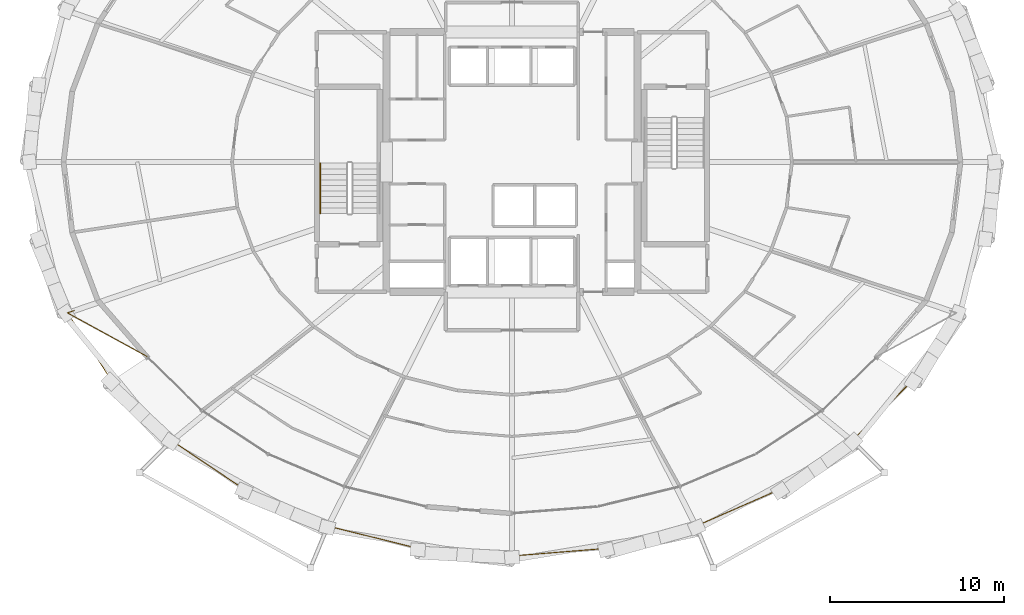
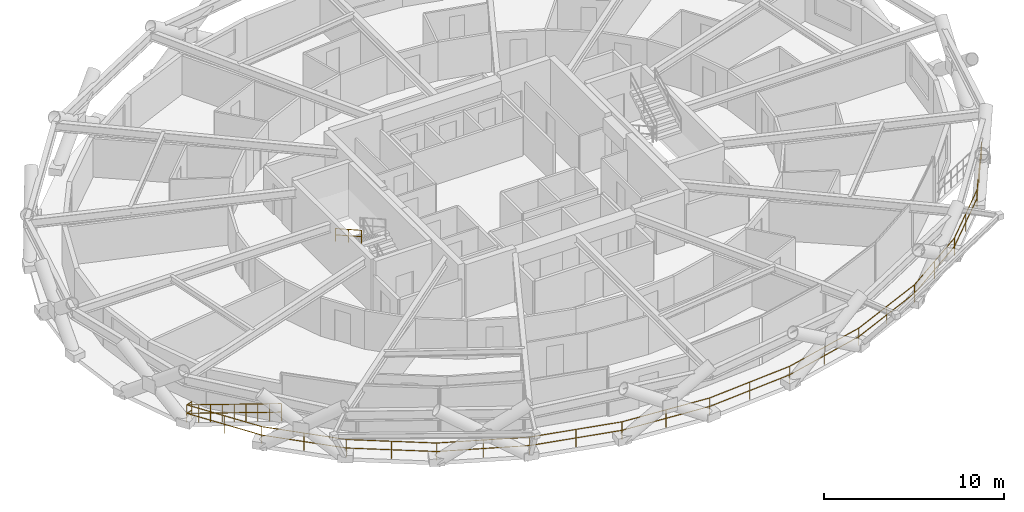
# One storey, part 18 of 19: 3 railings.
"""IFC4 building model written with IfcOpenShell, lengths in metres."""

from ifc_helpers import new_model, si_unit, direction, frame, origin, origin_2d, place, context, subcontext, project, spatial, circle, extrude, material, type_object, element, save


model = new_model("IFC4")

# Units and contexts
model_context = context("Model", 3, precision=1e-05, world=origin(), true_north=direction((0.0, 1.0)))
body_context = subcontext(model_context, "Body", "Model", "MODEL_VIEW")
ifc_project = project(units=[si_unit("LENGTHUNIT", "METRE"), si_unit("AREAUNIT", "SQUARE_METRE"), si_unit("VOLUMEUNIT", "CUBIC_METRE"), si_unit("PLANEANGLEUNIT", "RADIAN"), si_unit("MASSUNIT", "GRAM", prefix="KILO")], contexts=[model_context])

# Site, building, storey
site_placement = place(None, origin())
site = spatial("IfcSite", under=ifc_project, at=site_placement, CompositionType="ELEMENT")
building_placement = place(site_placement, origin())
building = spatial("IfcBuilding", under=site, at=building_placement, Name="Veldorina Hangang Commons", CompositionType="ELEMENT")
storey_placement = place(building_placement, frame((0.0, 0.0, 34.0)))
storey = spatial("IfcBuildingStorey", under=building, at=storey_placement, Name="L07", CompositionType="ELEMENT", Elevation=34.0)

# Railings
ifc_material_1 = material(Name="Glass Laminated Safety Balustrade", Category="glass")
railing_type_1 = type_object("IfcRailingType", Name="RL-BAL-LOGGIA", PredefinedType="BALUSTRADE", material=ifc_material_1)
railing_1_placement = place(storey_placement, frame((6.91162109375, 15.486083984375, 0.0)))
element("IfcRailing", 1, at=railing_1_placement, inside=storey, type_object=railing_type_1, Name="L07 sky-garden loggia end balustrade A", PredefinedType="BALUSTRADE", context=body_context, shape_type="SweptSolid", body=[
    extrude(circle(Radius=0.02392578125, at=origin_2d()), frame((0.0, 0.0, 1.17578125), z_axis=(-0.946924996106, -0.321454587383, 0.0), x_axis=(0.321454587383, -0.946924996106, 0.0)), (0.0, 0.0, 1.0), 0.419921875),
    extrude(circle(Radius=0.02392578125, at=origin_2d()), frame((0.0, 0.0, 0.60009765625), z_axis=(-0.946924996106, -0.321454587383, 0.0), x_axis=(0.321454587383, -0.946924996106, 0.0)), (0.0, 0.0, 1.0), 0.419921875),
    extrude(circle(Radius=0.02392578125, at=origin_2d()), frame((-0.397705078125, -0.135009765625, 1.17578125), z_axis=(0.877056677059, -0.480386912005, 0.0), x_axis=(0.480386912005, 0.877056677059, 0.0)), (0.0, 0.0, 1.0), 5.258056640625),
    extrude(circle(Radius=0.02392578125, at=origin_2d()), frame((-0.397705078125, -0.135009765625, 0.60009765625), z_axis=(0.877056677059, -0.480386912005, 0.0), x_axis=(0.480386912005, 0.877056677059, 0.0)), (0.0, 0.0, 1.0), 5.258056640625),
    extrude(circle(Radius=0.02099609375, at=origin_2d()), origin(), (0.0, 0.0, 1.0), 1.15185546875),
    extrude(circle(Radius=0.02099609375, at=origin_2d()), frame((-0.397705078125, -0.135009765625, 0.0)), (0.0, 0.0, 1.0), 1.15185546875),
    extrude(circle(Radius=0.02099609375, at=origin_2d()), frame((0.1787109375, -0.45068359375, 0.0)), (0.0, 0.0, 1.0), 1.15185546875),
    extrude(circle(Radius=0.02099609375, at=origin_2d()), frame((0.755126953125, -0.7666015625, 0.0)), (0.0, 0.0, 1.0), 1.15185546875),
    extrude(circle(Radius=0.02099609375, at=origin_2d()), frame((1.33154296875, -1.082275390625, 0.0)), (0.0, 0.0, 1.0), 1.15185546875),
    extrude(circle(Radius=0.02099609375, at=origin_2d()), frame((1.908203125, -1.39794921875, 0.0)), (0.0, 0.0, 1.0), 1.15185546875),
    extrude(circle(Radius=0.02099609375, at=origin_2d()), frame((2.484619140625, -1.713623046875, 0.0)), (0.0, 0.0, 1.0), 1.15185546875),
    extrude(circle(Radius=0.02099609375, at=origin_2d()), frame((3.06103515625, -2.029296875, 0.0)), (0.0, 0.0, 1.0), 1.15185546875),
    extrude(circle(Radius=0.02099609375, at=origin_2d()), frame((3.637451171875, -2.34521484375, 0.0)), (0.0, 0.0, 1.0), 1.15185546875),
    extrude(circle(Radius=0.02099609375, at=origin_2d()), frame((4.2138671875, -2.660888671875, 0.0)), (0.0, 0.0, 1.0), 1.15185546875),
])
railing_2_placement = place(storey_placement, frame((6.513916015625, 15.35107421875, 0.0)))
element("IfcRailing", 2, at=railing_2_placement, inside=storey, type_object=railing_type_1, Name="L07 sky-garden loggia outer balustrade", PredefinedType="BALUSTRADE", context=body_context, shape_type="SweptSolid", body=[
    extrude(circle(Radius=0.02392578125, at=origin_2d()), frame((0.0, 0.0, 1.17578125), z_axis=(0.546826332014, -0.837246058585, 0.0), x_axis=(0.837246058585, 0.546826332014, 0.0)), (0.0, 0.0, 1.0), 4.66552734375),
    extrude(circle(Radius=0.02392578125, at=origin_2d()), frame((0.0, 0.0, 0.60009765625), z_axis=(0.546826332014, -0.837246058585, 0.0), x_axis=(0.837246058585, 0.546826332014, 0.0)), (0.0, 0.0, 1.0), 4.66552734375),
    extrude(circle(Radius=0.02392578125, at=origin_2d()), frame((2.55126953125, -3.90625, 1.17578125), z_axis=(0.708138519534, -0.70607353523, 0.0), x_axis=(0.70607353523, 0.708138519534, 0.0)), (0.0, 0.0, 1.0), 4.847412109375),
    extrude(circle(Radius=0.02392578125, at=origin_2d()), frame((2.55126953125, -3.90625, 0.60009765625), z_axis=(0.708138519534, -0.70607353523, 0.0), x_axis=(0.70607353523, 0.708138519534, 0.0)), (0.0, 0.0, 1.0), 4.847412109375),
    extrude(circle(Radius=0.02392578125, at=origin_2d()), frame((5.98388671875, -7.328857421875, 1.17578125), z_axis=(0.830188762207, -0.557482393539, 0.0), x_axis=(0.557482393539, 0.830188762207, 0.0)), (0.0, 0.0, 1.0), 5.03662109375),
    extrude(circle(Radius=0.02392578125, at=origin_2d()), frame((5.98388671875, -7.328857421875, 0.60009765625), z_axis=(0.830188762207, -0.557482393539, 0.0), x_axis=(0.557482393539, 0.830188762207, 0.0)), (0.0, 0.0, 1.0), 5.03662109375),
    extrude(circle(Radius=0.02392578125, at=origin_2d()), frame((10.165283203125, -10.13671875, 1.17578125), z_axis=(0.916220839149, -0.400673650131, 0.0), x_axis=(0.400673650131, 0.916220839149, 0.0)), (0.0, 0.0, 1.0), 5.204833984375),
    extrude(circle(Radius=0.02392578125, at=origin_2d()), frame((10.165283203125, -10.13671875, 0.60009765625), z_axis=(0.916220839149, -0.400673650131, 0.0), x_axis=(0.400673650131, 0.916220839149, 0.0)), (0.0, 0.0, 1.0), 5.204833984375),
    extrude(circle(Radius=0.02392578125, at=origin_2d()), frame((14.93408203125, -12.22216796875, 1.17578125), z_axis=(0.970574754239, -0.240800013358, 0.0), x_axis=(0.240800013358, 0.970574754239, 0.0)), (0.0, 0.0, 1.0), 5.329833984375),
    extrude(circle(Radius=0.02392578125, at=origin_2d()), frame((14.93408203125, -12.22216796875, 0.60009765625), z_axis=(0.970574754239, -0.240800013358, 0.0), x_axis=(0.240800013358, 0.970574754239, 0.0)), (0.0, 0.0, 1.0), 5.329833984375),
    extrude(circle(Radius=0.02392578125, at=origin_2d()), frame((20.107177734375, -13.505615234375, 1.17578125), z_axis=(0.996770383216, -0.080304440369, 0.0), x_axis=(0.080304440369, 0.996770383216, 0.0)), (0.0, 0.0, 1.0), 5.396240234375),
    extrude(circle(Radius=0.02392578125, at=origin_2d()), frame((20.107177734375, -13.505615234375, 0.60009765625), z_axis=(0.996770383216, -0.080304440369, 0.0), x_axis=(0.080304440369, 0.996770383216, 0.0)), (0.0, 0.0, 1.0), 5.396240234375),
    extrude(circle(Radius=0.02392578125, at=origin_2d()), frame((25.486083984375, -13.93896484375, 1.17578125), z_axis=(0.996770383216, 0.080304440369, 0.0), x_axis=(-0.080304440369, 0.996770383216, 0.0)), (0.0, 0.0, 1.0), 5.396240234375),
    extrude(circle(Radius=0.02392578125, at=origin_2d()), frame((25.486083984375, -13.93896484375, 0.60009765625), z_axis=(0.996770383216, 0.080304440369, 0.0), x_axis=(-0.080304440369, 0.996770383216, 0.0)), (0.0, 0.0, 1.0), 5.396240234375),
    extrude(circle(Radius=0.02392578125, at=origin_2d()), frame((30.864990234375, -13.505615234375, 1.17578125), z_axis=(0.970574754239, 0.240800013358, 0.0), x_axis=(-0.240800013358, 0.970574754239, 0.0)), (0.0, 0.0, 1.0), 5.329833984375),
    extrude(circle(Radius=0.02392578125, at=origin_2d()), frame((30.864990234375, -13.505615234375, 0.60009765625), z_axis=(0.970574754239, 0.240800013358, 0.0), x_axis=(-0.240800013358, 0.970574754239, 0.0)), (0.0, 0.0, 1.0), 5.329833984375),
    extrude(circle(Radius=0.02392578125, at=origin_2d()), frame((36.0380859375, -12.22216796875, 1.17578125), z_axis=(0.916220839149, 0.400673650131, 0.0), x_axis=(-0.400673650131, 0.916220839149, 0.0)), (0.0, 0.0, 1.0), 5.204833984375),
    extrude(circle(Radius=0.02392578125, at=origin_2d()), frame((36.0380859375, -12.22216796875, 0.60009765625), z_axis=(0.916220839149, 0.400673650131, 0.0), x_axis=(-0.400673650131, 0.916220839149, 0.0)), (0.0, 0.0, 1.0), 5.204833984375),
    extrude(circle(Radius=0.02392578125, at=origin_2d()), frame((40.806884765625, -10.13671875, 1.17578125), z_axis=(0.830188762207, 0.557482393539, 0.0), x_axis=(-0.557482393539, 0.830188762207, 0.0)), (0.0, 0.0, 1.0), 5.03662109375),
    extrude(circle(Radius=0.02392578125, at=origin_2d()), frame((40.806884765625, -10.13671875, 0.60009765625), z_axis=(0.830188762207, 0.557482393539, 0.0), x_axis=(-0.557482393539, 0.830188762207, 0.0)), (0.0, 0.0, 1.0), 5.03662109375),
    extrude(circle(Radius=0.02392578125, at=origin_2d()), frame((44.98828125, -7.328857421875, 1.17578125), z_axis=(0.708138519534, 0.70607353523, 0.0), x_axis=(-0.70607353523, 0.708138519534, 0.0)), (0.0, 0.0, 1.0), 4.847412109375),
    extrude(circle(Radius=0.02392578125, at=origin_2d()), frame((44.98828125, -7.328857421875, 0.60009765625), z_axis=(0.708138519534, 0.70607353523, 0.0), x_axis=(-0.70607353523, 0.708138519534, 0.0)), (0.0, 0.0, 1.0), 4.847412109375),
    extrude(circle(Radius=0.02392578125, at=origin_2d()), frame((48.4208984375, -3.90625, 1.17578125), z_axis=(0.546826332014, 0.837246058585, 0.0), x_axis=(-0.837246058585, 0.546826332014, 0.0)), (0.0, 0.0, 1.0), 4.66552734375),
    extrude(circle(Radius=0.02392578125, at=origin_2d()), frame((48.4208984375, -3.90625, 0.60009765625), z_axis=(0.546826332014, 0.837246058585, 0.0), x_axis=(-0.837246058585, 0.546826332014, 0.0)), (0.0, 0.0, 1.0), 4.66552734375),
    extrude(circle(Radius=0.02099609375, at=origin_2d()), origin(), (0.0, 0.0, 1.0), 1.15185546875),
    extrude(circle(Radius=0.02099609375, at=origin_2d()), frame((1.275634765625, -1.953125, 0.0)), (0.0, 0.0, 1.0), 1.15185546875),
    extrude(circle(Radius=0.02099609375, at=origin_2d()), frame((2.55126953125, -3.90625, 0.0)), (0.0, 0.0, 1.0), 1.15185546875),
    extrude(circle(Radius=0.02099609375, at=origin_2d()), frame((4.267578125, -5.61767578125, 0.0)), (0.0, 0.0, 1.0), 1.15185546875),
    extrude(circle(Radius=0.02099609375, at=origin_2d()), frame((5.98388671875, -7.328857421875, 0.0)), (0.0, 0.0, 1.0), 1.15185546875),
    extrude(circle(Radius=0.02099609375, at=origin_2d()), frame((8.07470703125, -8.73291015625, 0.0)), (0.0, 0.0, 1.0), 1.15185546875),
    extrude(circle(Radius=0.02099609375, at=origin_2d()), frame((10.165283203125, -10.13671875, 0.0)), (0.0, 0.0, 1.0), 1.15185546875),
    extrude(circle(Radius=0.02099609375, at=origin_2d()), frame((12.5498046875, -11.179443359375, 0.0)), (0.0, 0.0, 1.0), 1.15185546875),
    extrude(circle(Radius=0.02099609375, at=origin_2d()), frame((14.93408203125, -12.22216796875, 0.0)), (0.0, 0.0, 1.0), 1.15185546875),
    extrude(circle(Radius=0.02099609375, at=origin_2d()), frame((17.5205078125, -12.86376953125, 0.0)), (0.0, 0.0, 1.0), 1.15185546875),
    extrude(circle(Radius=0.02099609375, at=origin_2d()), frame((20.107177734375, -13.505615234375, 0.0)), (0.0, 0.0, 1.0), 1.15185546875),
    extrude(circle(Radius=0.02099609375, at=origin_2d()), frame((22.796630859375, -13.72216796875, 0.0)), (0.0, 0.0, 1.0), 1.15185546875),
    extrude(circle(Radius=0.02099609375, at=origin_2d()), frame((25.486083984375, -13.93896484375, 0.0)), (0.0, 0.0, 1.0), 1.15185546875),
    extrude(circle(Radius=0.02099609375, at=origin_2d()), frame((28.175537109375, -13.72216796875, 0.0)), (0.0, 0.0, 1.0), 1.15185546875),
    extrude(circle(Radius=0.02099609375, at=origin_2d()), frame((30.864990234375, -13.505615234375, 0.0)), (0.0, 0.0, 1.0), 1.15185546875),
    extrude(circle(Radius=0.02099609375, at=origin_2d()), frame((33.45166015625, -12.86376953125, 0.0)), (0.0, 0.0, 1.0), 1.15185546875),
    extrude(circle(Radius=0.02099609375, at=origin_2d()), frame((36.0380859375, -12.22216796875, 0.0)), (0.0, 0.0, 1.0), 1.15185546875),
    extrude(circle(Radius=0.02099609375, at=origin_2d()), frame((38.42236328125, -11.179443359375, 0.0)), (0.0, 0.0, 1.0), 1.15185546875),
    extrude(circle(Radius=0.02099609375, at=origin_2d()), frame((40.806884765625, -10.13671875, 0.0)), (0.0, 0.0, 1.0), 1.15185546875),
    extrude(circle(Radius=0.02099609375, at=origin_2d()), frame((42.8974609375, -8.73291015625, 0.0)), (0.0, 0.0, 1.0), 1.15185546875),
    extrude(circle(Radius=0.02099609375, at=origin_2d()), frame((44.98828125, -7.328857421875, 0.0)), (0.0, 0.0, 1.0), 1.15185546875),
    extrude(circle(Radius=0.02099609375, at=origin_2d()), frame((46.70458984375, -5.61767578125, 0.0)), (0.0, 0.0, 1.0), 1.15185546875),
    extrude(circle(Radius=0.02099609375, at=origin_2d()), frame((48.4208984375, -3.90625, 0.0)), (0.0, 0.0, 1.0), 1.15185546875),
    extrude(circle(Radius=0.02099609375, at=origin_2d()), frame((49.696533203125, -1.953125, 0.0)), (0.0, 0.0, 1.0), 1.15185546875),
    extrude(circle(Radius=0.02099609375, at=origin_2d()), frame((50.97216796875, 0.0, 0.0)), (0.0, 0.0, 1.0), 1.15185546875),
])
ifc_material_2 = material(Name="Stainless Steel Brushed 316", Category="steel")
railing_type_2 = type_object("IfcRailingType", Name="RL-HND-STAIR", PredefinedType="HANDRAIL", material=ifc_material_2)
railing_3_placement = place(storey_placement, frame((21.0, 23.929931640625, 1.97998046875)))
element("IfcRailing", 3, at=railing_3_placement, inside=storey, type_object=railing_type_2, Name="L07 ST-1 stair handrail 2", PredefinedType="HANDRAIL", context=body_context, shape_type="SweptSolid", body=[
    extrude(circle(Radius=0.02392578125, at=origin_2d()), frame((0.0, 0.0, 0.8759765625), z_axis=(0.0, -0.87155185771, 0.490303333991), x_axis=(1.0, 0.0, 0.0)), (0.0, 0.0, 1.0), 3.30419921875),
    extrude(circle(Radius=0.02392578125, at=origin_2d()), frame((0.0, 0.0, 0.449951171875), z_axis=(0.0, -0.87155185771, 0.490303333991), x_axis=(1.0, 0.0, 0.0)), (0.0, 0.0, 1.0), 3.30419921875),
    extrude(circle(Radius=0.02099609375, at=origin_2d()), origin(), (0.0, 0.0, 1.0), 0.851806640625),
    extrude(circle(Radius=0.02099609375, at=origin_2d()), frame((0.0, -1.43994140625, 0.81005859375)), (0.0, 0.0, 1.0), 0.851806640625),
    extrude(circle(Radius=0.02099609375, at=origin_2d()), frame((0.0, -2.8798828125, 1.6201171875)), (0.0, 0.0, 1.0), 0.851806640625),
])

save(model, "model.ifc")
